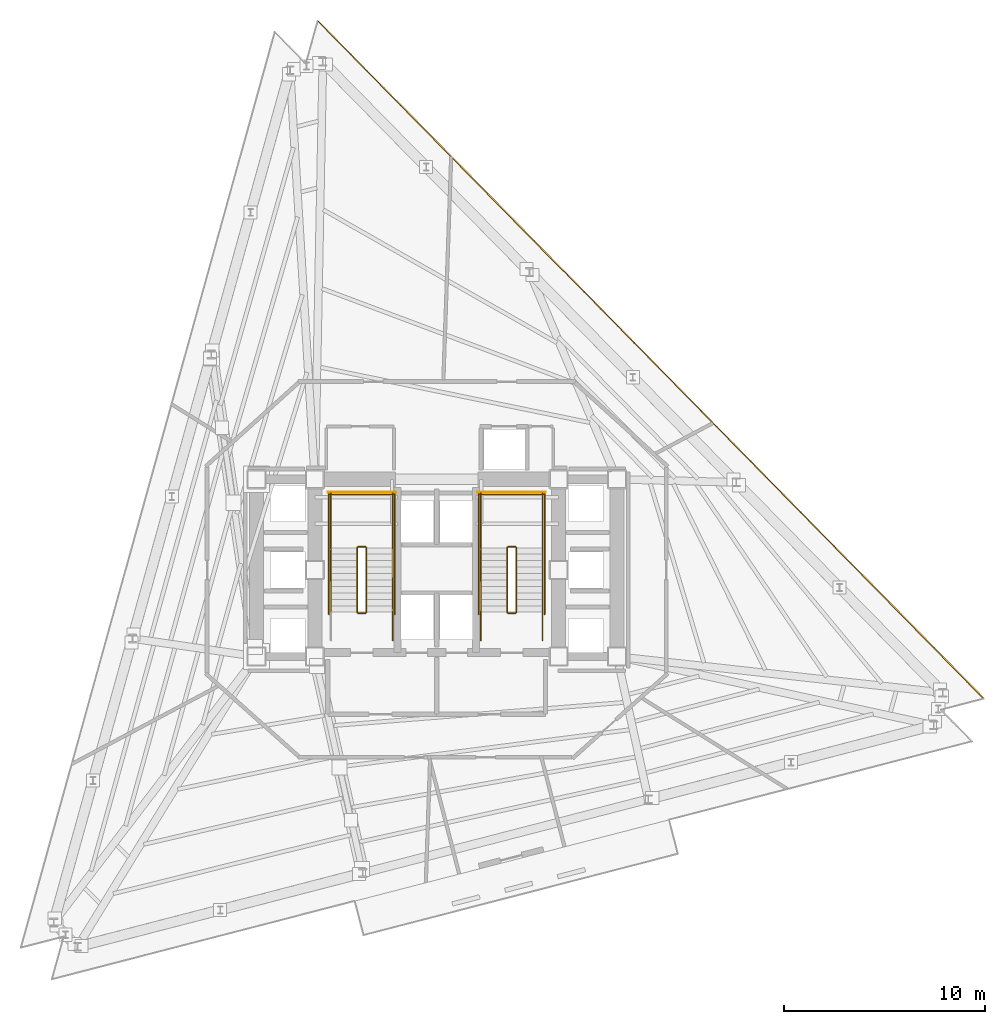
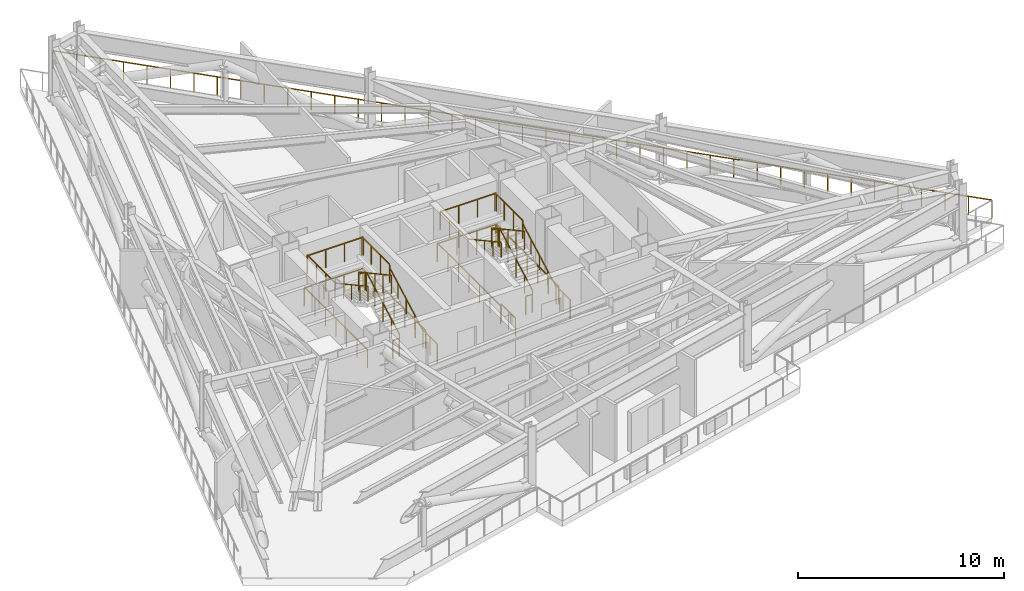
# One storey, part 10 of 11: 28 railings.
"""IFC4 building model written with IfcOpenShell, lengths in metres."""

from ifc_helpers import new_model, si_unit, direction, frame, origin, origin_2d, place, context, subcontext, project, spatial, rectangle, extrude, material, layer, layer_set, type_object, element, save


model = new_model("IFC4")

# Units and contexts
model_context = context("Model", 3, precision=1e-05, world=origin(), true_north=direction((0.0, 1.0)))
body_context = subcontext(model_context, "Body", "Model", "MODEL_VIEW")
ifc_project = project(units=[si_unit("LENGTHUNIT", "METRE"), si_unit("AREAUNIT", "SQUARE_METRE"), si_unit("VOLUMEUNIT", "CUBIC_METRE"), si_unit("PLANEANGLEUNIT", "RADIAN"), si_unit("MASSUNIT", "GRAM", prefix="KILO")], contexts=[model_context])

# Site, building, storey
site_placement = place(None, origin())
site = spatial("IfcSite", under=ifc_project, at=site_placement, CompositionType="ELEMENT")
building_placement = place(site_placement, origin())
building = spatial("IfcBuilding", under=site, at=building_placement, Name="Rocaltana Carrier Exchange", CompositionType="ELEMENT")
storey_placement = place(building_placement, frame((0.0, 0.0, 100.800048828125)))
storey = spatial("IfcBuildingStorey", under=building, at=storey_placement, Name="L31", CompositionType="ELEMENT", Elevation=100.800048828125)

# Railings
ifc_material_1 = material(Name="Brushed Architectural Stainless Tube", Category="steel")
ifc_layer_1 = layer(ifc_material_1, 0.048095703125)
ifc_layer_set_1 = layer_set([ifc_layer_1], Name="Brushed Architectural Stainless Tube")
railing_type_1 = type_object("IfcRailingType", Name="Stair Wall Handrail 920", PredefinedType="HANDRAIL", material=ifc_layer_set_1)
railing_1_placement = place(storey_placement, frame((-2.18994140625, -2.10009765625, 0.174560546875)))
element("IfcRailing", 1, at=railing_1_placement, inside=storey, type_object=railing_type_1, Name="L31 ST-1 stair handrail 1", PredefinedType="HANDRAIL", context=body_context, shape_type="SweptSolid", body=[
    extrude(rectangle(XDim=0.048095703125, YDim=0.048095703125, at=origin_2d()), frame((0.0, 0.0, 0.8759765625), z_axis=(0.0, 0.877918608156, 0.478809896987), x_axis=(-1.0, 0.0, 0.0)), (0.0, 0.0, 1.0), 3.645263671875),
    extrude(rectangle(XDim=0.0419921875, YDim=0.0419921875, at=origin_2d()), origin(), (0.0, 0.0, 1.0), 0.851806640625),
    extrude(rectangle(XDim=0.0419921875, YDim=0.0419921875, at=origin_2d()), frame((0.0, 0.800048828125, 0.436279296875)), (0.0, 0.0, 1.0), 0.851806640625),
    extrude(rectangle(XDim=0.0419921875, YDim=0.0419921875, at=origin_2d()), frame((0.0, 1.60009765625, 0.87255859375)), (0.0, 0.0, 1.0), 0.851806640625),
    extrude(rectangle(XDim=0.0419921875, YDim=0.0419921875, at=origin_2d()), frame((0.0, 2.400146484375, 1.30908203125)), (0.0, 0.0, 1.0), 0.851806640625),
    extrude(rectangle(XDim=0.0419921875, YDim=0.0419921875, at=origin_2d()), frame((0.0, 3.2001953125, 1.745361328125)), (0.0, 0.0, 1.0), 0.851806640625),
])
railing_2_placement = place(storey_placement, frame((-5.25, 1.10009765625, 2.094482421875)))
element("IfcRailing", 2, at=railing_2_placement, inside=storey, type_object=railing_type_1, Name="L31 ST-1 stair handrail 2", PredefinedType="HANDRAIL", context=body_context, shape_type="SweptSolid", body=[
    extrude(rectangle(XDim=0.048095703125, YDim=0.048095703125, at=origin_2d()), frame((0.0, 0.0, 0.8759765625), z_axis=(0.0, -0.877918608156, 0.478809896987), x_axis=(1.0, 0.0, 0.0)), (0.0, 0.0, 1.0), 3.645263671875),
    extrude(rectangle(XDim=0.0419921875, YDim=0.0419921875, at=origin_2d()), origin(), (0.0, 0.0, 1.0), 0.851806640625),
    extrude(rectangle(XDim=0.0419921875, YDim=0.0419921875, at=origin_2d()), frame((0.0, -0.800048828125, 0.436279296875)), (0.0, 0.0, 1.0), 0.851806640625),
    extrude(rectangle(XDim=0.0419921875, YDim=0.0419921875, at=origin_2d()), frame((0.0, -1.60009765625, 0.87255859375)), (0.0, 0.0, 1.0), 0.851806640625),
    extrude(rectangle(XDim=0.0419921875, YDim=0.0419921875, at=origin_2d()), frame((0.0, -2.400146484375, 1.30908203125)), (0.0, 0.0, 1.0), 0.851806640625),
    extrude(rectangle(XDim=0.0419921875, YDim=0.0419921875, at=origin_2d()), frame((0.0, -3.2001953125, 1.745361328125)), (0.0, 0.0, 1.0), 0.851806640625),
])
railing_3_placement = place(storey_placement, frame((5.25, -2.10009765625, 0.174560546875)))
element("IfcRailing", 3, at=railing_3_placement, inside=storey, type_object=railing_type_1, Name="L31 ST-2 stair handrail 1", PredefinedType="HANDRAIL", context=body_context, shape_type="SweptSolid", body=[
    extrude(rectangle(XDim=0.048095703125, YDim=0.048095703125, at=origin_2d()), frame((0.0, 0.0, 0.8759765625), z_axis=(0.0, 0.877918608156, 0.478809896987), x_axis=(-1.0, 0.0, 0.0)), (0.0, 0.0, 1.0), 3.645263671875),
    extrude(rectangle(XDim=0.0419921875, YDim=0.0419921875, at=origin_2d()), origin(), (0.0, 0.0, 1.0), 0.851806640625),
    extrude(rectangle(XDim=0.0419921875, YDim=0.0419921875, at=origin_2d()), frame((0.0, 0.800048828125, 0.436279296875)), (0.0, 0.0, 1.0), 0.851806640625),
    extrude(rectangle(XDim=0.0419921875, YDim=0.0419921875, at=origin_2d()), frame((0.0, 1.60009765625, 0.87255859375)), (0.0, 0.0, 1.0), 0.851806640625),
    extrude(rectangle(XDim=0.0419921875, YDim=0.0419921875, at=origin_2d()), frame((0.0, 2.400146484375, 1.30908203125)), (0.0, 0.0, 1.0), 0.851806640625),
    extrude(rectangle(XDim=0.0419921875, YDim=0.0419921875, at=origin_2d()), frame((0.0, 3.2001953125, 1.745361328125)), (0.0, 0.0, 1.0), 0.851806640625),
])
railing_4_placement = place(storey_placement, frame((2.18994140625, 1.10009765625, 2.094482421875)))
element("IfcRailing", 4, at=railing_4_placement, inside=storey, type_object=railing_type_1, Name="L31 ST-2 stair handrail 2", PredefinedType="HANDRAIL", context=body_context, shape_type="SweptSolid", body=[
    extrude(rectangle(XDim=0.048095703125, YDim=0.048095703125, at=origin_2d()), frame((0.0, 0.0, 0.8759765625), z_axis=(0.0, -0.877918608156, 0.478809896987), x_axis=(1.0, 0.0, 0.0)), (0.0, 0.0, 1.0), 3.645263671875),
    extrude(rectangle(XDim=0.0419921875, YDim=0.0419921875, at=origin_2d()), origin(), (0.0, 0.0, 1.0), 0.851806640625),
    extrude(rectangle(XDim=0.0419921875, YDim=0.0419921875, at=origin_2d()), frame((0.0, -0.800048828125, 0.436279296875)), (0.0, 0.0, 1.0), 0.851806640625),
    extrude(rectangle(XDim=0.0419921875, YDim=0.0419921875, at=origin_2d()), frame((0.0, -1.60009765625, 0.87255859375)), (0.0, 0.0, 1.0), 0.851806640625),
    extrude(rectangle(XDim=0.0419921875, YDim=0.0419921875, at=origin_2d()), frame((0.0, -2.400146484375, 1.30908203125)), (0.0, 0.0, 1.0), 0.851806640625),
    extrude(rectangle(XDim=0.0419921875, YDim=0.0419921875, at=origin_2d()), frame((0.0, -3.2001953125, 1.745361328125)), (0.0, 0.0, 1.0), 0.851806640625),
])
ifc_material_2 = material(Name="Powder-Coated Aluminium 6063-T6", Category="aluminium")
ifc_layer_2 = layer(ifc_material_2, 0.048095703125)
ifc_layer_set_2 = layer_set([ifc_layer_2], Name="Powder-Coated Aluminium 6063-T6")
railing_type_2 = type_object("IfcRailingType", Name="Stair Well Guardrail 1100", PredefinedType="GUARDRAIL", material=ifc_layer_set_2)
railing_5_placement = place(storey_placement, frame((-3.489990234375, -2.10009765625, 0.174560546875)))
element("IfcRailing", 5, at=railing_5_placement, inside=storey, type_object=railing_type_2, Name="L31 ST-1 stair guard 1", PredefinedType="GUARDRAIL", context=body_context, shape_type="SweptSolid", body=[
    extrude(rectangle(XDim=0.048095703125, YDim=0.048095703125, at=origin_2d()), frame((0.0, 0.0, 1.076171875), z_axis=(0.0, 0.877918608156, 0.478809896987), x_axis=(-1.0, 0.0, 0.0)), (0.0, 0.0, 1.0), 3.645263671875),
    extrude(rectangle(XDim=0.0419921875, YDim=0.0419921875, at=origin_2d()), origin(), (0.0, 0.0, 1.0), 1.052001953125),
    extrude(rectangle(XDim=0.0419921875, YDim=0.0419921875, at=origin_2d()), frame((0.0, 0.800048828125, 0.436279296875)), (0.0, 0.0, 1.0), 1.052001953125),
    extrude(rectangle(XDim=0.0419921875, YDim=0.0419921875, at=origin_2d()), frame((0.0, 1.60009765625, 0.87255859375)), (0.0, 0.0, 1.0), 1.052001953125),
    extrude(rectangle(XDim=0.0419921875, YDim=0.0419921875, at=origin_2d()), frame((0.0, 2.400146484375, 1.30908203125)), (0.0, 0.0, 1.0), 1.052001953125),
    extrude(rectangle(XDim=0.0419921875, YDim=0.0419921875, at=origin_2d()), frame((0.0, 3.2001953125, 1.745361328125)), (0.0, 0.0, 1.0), 1.052001953125),
])
railing_6_placement = place(storey_placement, frame((-3.5400390625, 1.14990234375, 1.919921875)))
element("IfcRailing", 6, at=railing_6_placement, inside=storey, type_object=railing_type_2, Name="L31 ST-1 stair guard 2", PredefinedType="GUARDRAIL", context=body_context, shape_type="SweptSolid", body=[
    extrude(rectangle(XDim=0.048095703125, YDim=0.048095703125, at=origin_2d()), frame((0.0, 0.0, 1.076171875), z_axis=(-1.0, 0.0, 0.0), x_axis=(0.0, -1.0, 0.0)), (0.0, 0.0, 1.0), 0.35986328125),
    extrude(rectangle(XDim=0.0419921875, YDim=0.0419921875, at=origin_2d()), origin(), (0.0, 0.0, 1.0), 1.052001953125),
    extrude(rectangle(XDim=0.0419921875, YDim=0.0419921875, at=origin_2d()), frame((-0.35986328125, 0.0, 0.0)), (0.0, 0.0, 1.0), 1.052001953125),
])
for number, where, name in (
    (7, (-2.18994140625, 1.10009765625, 1.919921875), "L31 ST-1 stair guard 3"),
    (8, (-5.25, 1.10009765625, 1.919921875), "L31 ST-1 stair guard 4"),
):
    element("IfcRailing", number, at=place(storey_placement, frame(where)), inside=storey, type_object=railing_type_2, Name=name, PredefinedType="GUARDRAIL", context=body_context, shape_type="SweptSolid", body=[
        extrude(rectangle(XDim=0.048095703125, YDim=0.048095703125, at=origin_2d()), frame((0.0, 0.0, 1.076171875), z_axis=(0.0, 1.0, 0.0), x_axis=(-1.0, 0.0, 0.0)), (0.0, 0.0, 1.0), 2.699951171875),
        extrude(rectangle(XDim=0.0419921875, YDim=0.0419921875, at=origin_2d()), origin(), (0.0, 0.0, 1.0), 1.052001953125),
        extrude(rectangle(XDim=0.0419921875, YDim=0.0419921875, at=origin_2d()), frame((0.0, 0.89990234375, 0.0)), (0.0, 0.0, 1.0), 1.052001953125),
        extrude(rectangle(XDim=0.0419921875, YDim=0.0419921875, at=origin_2d()), frame((0.0, 1.800048828125, 0.0)), (0.0, 0.0, 1.0), 1.052001953125),
        extrude(rectangle(XDim=0.0419921875, YDim=0.0419921875, at=origin_2d()), frame((0.0, 2.699951171875, 0.0)), (0.0, 0.0, 1.0), 1.052001953125),
    ])
railing_7_placement = place(storey_placement, frame((-2.139892578125, 3.75, 1.919921875)))
element("IfcRailing", 9, at=railing_7_placement, inside=storey, type_object=railing_type_2, Name="L31 ST-1 stair guard 5", PredefinedType="GUARDRAIL", context=body_context, shape_type="SweptSolid", body=[
    extrude(rectangle(XDim=0.048095703125, YDim=0.048095703125, at=origin_2d()), frame((0.0, 0.0, 1.076171875), z_axis=(-1.0, 0.0, 0.0), x_axis=(0.0, -1.0, 0.0)), (0.0, 0.0, 1.0), 3.16015625),
    extrude(rectangle(XDim=0.0419921875, YDim=0.0419921875, at=origin_2d()), origin(), (0.0, 0.0, 1.0), 1.052001953125),
    extrude(rectangle(XDim=0.0419921875, YDim=0.0419921875, at=origin_2d()), frame((-1.053466796875, 0.0, 0.0)), (0.0, 0.0, 1.0), 1.052001953125),
    extrude(rectangle(XDim=0.0419921875, YDim=0.0419921875, at=origin_2d()), frame((-2.106689453125, 0.0, 0.0)), (0.0, 0.0, 1.0), 1.052001953125),
    extrude(rectangle(XDim=0.0419921875, YDim=0.0419921875, at=origin_2d()), frame((-3.16015625, 0.0, 0.0)), (0.0, 0.0, 1.0), 1.052001953125),
])
railing_8_placement = place(storey_placement, frame((-3.949951171875, 1.10009765625, 2.094482421875)))
element("IfcRailing", 10, at=railing_8_placement, inside=storey, type_object=railing_type_2, Name="L31 ST-1 stair guard 6", PredefinedType="GUARDRAIL", context=body_context, shape_type="SweptSolid", body=[
    extrude(rectangle(XDim=0.048095703125, YDim=0.048095703125, at=origin_2d()), frame((0.0, 0.0, 1.076171875), z_axis=(0.0, -0.877918608156, 0.478809896987), x_axis=(1.0, 0.0, 0.0)), (0.0, 0.0, 1.0), 3.645263671875),
    extrude(rectangle(XDim=0.0419921875, YDim=0.0419921875, at=origin_2d()), origin(), (0.0, 0.0, 1.0), 1.052001953125),
    extrude(rectangle(XDim=0.0419921875, YDim=0.0419921875, at=origin_2d()), frame((0.0, -0.800048828125, 0.436279296875)), (0.0, 0.0, 1.0), 1.052001953125),
    extrude(rectangle(XDim=0.0419921875, YDim=0.0419921875, at=origin_2d()), frame((0.0, -1.60009765625, 0.87255859375)), (0.0, 0.0, 1.0), 1.052001953125),
    extrude(rectangle(XDim=0.0419921875, YDim=0.0419921875, at=origin_2d()), frame((0.0, -2.400146484375, 1.30908203125)), (0.0, 0.0, 1.0), 1.052001953125),
    extrude(rectangle(XDim=0.0419921875, YDim=0.0419921875, at=origin_2d()), frame((0.0, -3.2001953125, 1.745361328125)), (0.0, 0.0, 1.0), 1.052001953125),
])
railing_9_placement = place(storey_placement, frame((-3.5400390625, -2.14990234375, 0.0)))
element("IfcRailing", 11, at=railing_9_placement, inside=storey, type_object=railing_type_2, Name="L31 ST-1 stair guard 7", PredefinedType="GUARDRAIL", context=body_context, shape_type="SweptSolid", body=[
    extrude(rectangle(XDim=0.048095703125, YDim=0.048095703125, at=origin_2d()), frame((0.0, 0.0, 1.076171875), z_axis=(-1.0, 0.0, 0.0), x_axis=(0.0, -1.0, 0.0)), (0.0, 0.0, 1.0), 0.35986328125),
    extrude(rectangle(XDim=0.0419921875, YDim=0.0419921875, at=origin_2d()), origin(), (0.0, 0.0, 1.0), 1.052001953125),
    extrude(rectangle(XDim=0.0419921875, YDim=0.0419921875, at=origin_2d()), frame((-0.35986328125, 0.0, 0.0)), (0.0, 0.0, 1.0), 1.052001953125),
])
railing_10_placement = place(storey_placement, frame((-2.18994140625, -3.5, 0.0)))
element("IfcRailing", 12, at=railing_10_placement, inside=storey, type_object=railing_type_2, Name="L31 ST-1 stair guard 8", PredefinedType="GUARDRAIL", context=body_context, shape_type="SweptSolid", body=[
    extrude(rectangle(XDim=0.048095703125, YDim=0.048095703125, at=origin_2d()), frame((0.0, 0.0, 1.076171875), z_axis=(0.0, 1.0, 0.0), x_axis=(-1.0, 0.0, 0.0)), (0.0, 0.0, 1.0), 1.39990234375),
    extrude(rectangle(XDim=0.0419921875, YDim=0.0419921875, at=origin_2d()), origin(), (0.0, 0.0, 1.0), 1.052001953125),
    extrude(rectangle(XDim=0.0419921875, YDim=0.0419921875, at=origin_2d()), frame((0.0, 0.699951171875, 0.0)), (0.0, 0.0, 1.0), 1.052001953125),
    extrude(rectangle(XDim=0.0419921875, YDim=0.0419921875, at=origin_2d()), frame((0.0, 1.39990234375, 0.0)), (0.0, 0.0, 1.0), 1.052001953125),
])
for number, where, name in (
    (13, (-2.090087890625, -2.199951171875, 0.0), "L31 ST-1 stair guard 10"),
    (14, (-5.35009765625, -2.199951171875, 0.0), "L31 ST-1 stair guard 11"),
):
    element("IfcRailing", number, at=place(storey_placement, frame(where)), inside=storey, type_object=railing_type_2, Name=name, PredefinedType="GUARDRAIL", context=body_context, shape_type="SweptSolid", body=[
        extrude(rectangle(XDim=0.048095703125, YDim=0.048095703125, at=origin_2d()), frame((0.0, 0.0, 1.076171875), z_axis=(0.0, 1.0, 0.0), x_axis=(-1.0, 0.0, 0.0)), (0.0, 0.0, 1.0), 6.099853515625),
        extrude(rectangle(XDim=0.0419921875, YDim=0.0419921875, at=origin_2d()), origin(), (0.0, 0.0, 1.0), 1.052001953125),
        extrude(rectangle(XDim=0.0419921875, YDim=0.0419921875, at=origin_2d()), frame((0.0, 1.0166015625, 0.0)), (0.0, 0.0, 1.0), 1.052001953125),
        extrude(rectangle(XDim=0.0419921875, YDim=0.0419921875, at=origin_2d()), frame((0.0, 2.033203125, 0.0)), (0.0, 0.0, 1.0), 1.052001953125),
        extrude(rectangle(XDim=0.0419921875, YDim=0.0419921875, at=origin_2d()), frame((0.0, 3.0498046875, 0.0)), (0.0, 0.0, 1.0), 1.052001953125),
        extrude(rectangle(XDim=0.0419921875, YDim=0.0419921875, at=origin_2d()), frame((0.0, 4.066650390625, 0.0)), (0.0, 0.0, 1.0), 1.052001953125),
        extrude(rectangle(XDim=0.0419921875, YDim=0.0419921875, at=origin_2d()), frame((0.0, 5.083251953125, 0.0)), (0.0, 0.0, 1.0), 1.052001953125),
        extrude(rectangle(XDim=0.0419921875, YDim=0.0419921875, at=origin_2d()), frame((0.0, 6.099853515625, 0.0)), (0.0, 0.0, 1.0), 1.052001953125),
    ])
railing_11_placement = place(storey_placement, frame((-2.0400390625, 3.85009765625, 0.0)))
element("IfcRailing", 15, at=railing_11_placement, inside=storey, type_object=railing_type_2, Name="L31 ST-1 stair guard 12", PredefinedType="GUARDRAIL", context=body_context, shape_type="SweptSolid", body=[
    extrude(rectangle(XDim=0.048095703125, YDim=0.048095703125, at=origin_2d()), frame((0.0, 0.0, 1.076171875), z_axis=(-1.0, 0.0, 0.0), x_axis=(0.0, -1.0, 0.0)), (0.0, 0.0, 1.0), 3.35986328125),
    extrude(rectangle(XDim=0.0419921875, YDim=0.0419921875, at=origin_2d()), origin(), (0.0, 0.0, 1.0), 1.052001953125),
    extrude(rectangle(XDim=0.0419921875, YDim=0.0419921875, at=origin_2d()), frame((-1.119873046875, 0.0, 0.0)), (0.0, 0.0, 1.0), 1.052001953125),
    extrude(rectangle(XDim=0.0419921875, YDim=0.0419921875, at=origin_2d()), frame((-2.239990234375, 0.0, 0.0)), (0.0, 0.0, 1.0), 1.052001953125),
    extrude(rectangle(XDim=0.0419921875, YDim=0.0419921875, at=origin_2d()), frame((-3.35986328125, 0.0, 0.0)), (0.0, 0.0, 1.0), 1.052001953125),
])
railing_12_placement = place(storey_placement, frame((3.949951171875, -2.10009765625, 0.174560546875)))
element("IfcRailing", 16, at=railing_12_placement, inside=storey, type_object=railing_type_2, Name="L31 ST-2 stair guard 1", PredefinedType="GUARDRAIL", context=body_context, shape_type="SweptSolid", body=[
    extrude(rectangle(XDim=0.048095703125, YDim=0.048095703125, at=origin_2d()), frame((0.0, 0.0, 1.076171875), z_axis=(0.0, 0.877918608156, 0.478809896987), x_axis=(-1.0, 0.0, 0.0)), (0.0, 0.0, 1.0), 3.645263671875),
    extrude(rectangle(XDim=0.0419921875, YDim=0.0419921875, at=origin_2d()), origin(), (0.0, 0.0, 1.0), 1.052001953125),
    extrude(rectangle(XDim=0.0419921875, YDim=0.0419921875, at=origin_2d()), frame((0.0, 0.800048828125, 0.436279296875)), (0.0, 0.0, 1.0), 1.052001953125),
    extrude(rectangle(XDim=0.0419921875, YDim=0.0419921875, at=origin_2d()), frame((0.0, 1.60009765625, 0.87255859375)), (0.0, 0.0, 1.0), 1.052001953125),
    extrude(rectangle(XDim=0.0419921875, YDim=0.0419921875, at=origin_2d()), frame((0.0, 2.400146484375, 1.30908203125)), (0.0, 0.0, 1.0), 1.052001953125),
    extrude(rectangle(XDim=0.0419921875, YDim=0.0419921875, at=origin_2d()), frame((0.0, 3.2001953125, 1.745361328125)), (0.0, 0.0, 1.0), 1.052001953125),
])
railing_13_placement = place(storey_placement, frame((3.89990234375, 1.14990234375, 1.919921875)))
element("IfcRailing", 17, at=railing_13_placement, inside=storey, type_object=railing_type_2, Name="L31 ST-2 stair guard 2", PredefinedType="GUARDRAIL", context=body_context, shape_type="SweptSolid", body=[
    extrude(rectangle(XDim=0.048095703125, YDim=0.048095703125, at=origin_2d()), frame((0.0, 0.0, 1.076171875), z_axis=(-1.0, 0.0, 0.0), x_axis=(0.0, -1.0, 0.0)), (0.0, 0.0, 1.0), 0.35986328125),
    extrude(rectangle(XDim=0.0419921875, YDim=0.0419921875, at=origin_2d()), origin(), (0.0, 0.0, 1.0), 1.052001953125),
    extrude(rectangle(XDim=0.0419921875, YDim=0.0419921875, at=origin_2d()), frame((-0.35986328125, 0.0, 0.0)), (0.0, 0.0, 1.0), 1.052001953125),
])
for number, where, name in (
    (18, (5.25, 1.10009765625, 1.919921875), "L31 ST-2 stair guard 3"),
    (19, (2.18994140625, 1.10009765625, 1.919921875), "L31 ST-2 stair guard 4"),
):
    element("IfcRailing", number, at=place(storey_placement, frame(where)), inside=storey, type_object=railing_type_2, Name=name, PredefinedType="GUARDRAIL", context=body_context, shape_type="SweptSolid", body=[
        extrude(rectangle(XDim=0.048095703125, YDim=0.048095703125, at=origin_2d()), frame((0.0, 0.0, 1.076171875), z_axis=(0.0, 1.0, 0.0), x_axis=(-1.0, 0.0, 0.0)), (0.0, 0.0, 1.0), 2.699951171875),
        extrude(rectangle(XDim=0.0419921875, YDim=0.0419921875, at=origin_2d()), origin(), (0.0, 0.0, 1.0), 1.052001953125),
        extrude(rectangle(XDim=0.0419921875, YDim=0.0419921875, at=origin_2d()), frame((0.0, 0.89990234375, 0.0)), (0.0, 0.0, 1.0), 1.052001953125),
        extrude(rectangle(XDim=0.0419921875, YDim=0.0419921875, at=origin_2d()), frame((0.0, 1.800048828125, 0.0)), (0.0, 0.0, 1.0), 1.052001953125),
        extrude(rectangle(XDim=0.0419921875, YDim=0.0419921875, at=origin_2d()), frame((0.0, 2.699951171875, 0.0)), (0.0, 0.0, 1.0), 1.052001953125),
    ])
railing_14_placement = place(storey_placement, frame((5.300048828125, 3.75, 1.919921875)))
element("IfcRailing", 20, at=railing_14_placement, inside=storey, type_object=railing_type_2, Name="L31 ST-2 stair guard 5", PredefinedType="GUARDRAIL", context=body_context, shape_type="SweptSolid", body=[
    extrude(rectangle(XDim=0.048095703125, YDim=0.048095703125, at=origin_2d()), frame((0.0, 0.0, 1.076171875), z_axis=(-1.0, 0.0, 0.0), x_axis=(0.0, -1.0, 0.0)), (0.0, 0.0, 1.0), 3.16015625),
    extrude(rectangle(XDim=0.0419921875, YDim=0.0419921875, at=origin_2d()), origin(), (0.0, 0.0, 1.0), 1.052001953125),
    extrude(rectangle(XDim=0.0419921875, YDim=0.0419921875, at=origin_2d()), frame((-1.053466796875, 0.0, 0.0)), (0.0, 0.0, 1.0), 1.052001953125),
    extrude(rectangle(XDim=0.0419921875, YDim=0.0419921875, at=origin_2d()), frame((-2.106689453125, 0.0, 0.0)), (0.0, 0.0, 1.0), 1.052001953125),
    extrude(rectangle(XDim=0.0419921875, YDim=0.0419921875, at=origin_2d()), frame((-3.16015625, 0.0, 0.0)), (0.0, 0.0, 1.0), 1.052001953125),
])
railing_15_placement = place(storey_placement, frame((3.489990234375, 1.10009765625, 2.094482421875)))
element("IfcRailing", 21, at=railing_15_placement, inside=storey, type_object=railing_type_2, Name="L31 ST-2 stair guard 6", PredefinedType="GUARDRAIL", context=body_context, shape_type="SweptSolid", body=[
    extrude(rectangle(XDim=0.048095703125, YDim=0.048095703125, at=origin_2d()), frame((0.0, 0.0, 1.076171875), z_axis=(0.0, -0.877918608156, 0.478809896987), x_axis=(1.0, 0.0, 0.0)), (0.0, 0.0, 1.0), 3.645263671875),
    extrude(rectangle(XDim=0.0419921875, YDim=0.0419921875, at=origin_2d()), origin(), (0.0, 0.0, 1.0), 1.052001953125),
    extrude(rectangle(XDim=0.0419921875, YDim=0.0419921875, at=origin_2d()), frame((0.0, -0.800048828125, 0.436279296875)), (0.0, 0.0, 1.0), 1.052001953125),
    extrude(rectangle(XDim=0.0419921875, YDim=0.0419921875, at=origin_2d()), frame((0.0, -1.60009765625, 0.87255859375)), (0.0, 0.0, 1.0), 1.052001953125),
    extrude(rectangle(XDim=0.0419921875, YDim=0.0419921875, at=origin_2d()), frame((0.0, -2.400146484375, 1.30908203125)), (0.0, 0.0, 1.0), 1.052001953125),
    extrude(rectangle(XDim=0.0419921875, YDim=0.0419921875, at=origin_2d()), frame((0.0, -3.2001953125, 1.745361328125)), (0.0, 0.0, 1.0), 1.052001953125),
])
railing_16_placement = place(storey_placement, frame((3.89990234375, -2.14990234375, 0.0)))
element("IfcRailing", 22, at=railing_16_placement, inside=storey, type_object=railing_type_2, Name="L31 ST-2 stair guard 7", PredefinedType="GUARDRAIL", context=body_context, shape_type="SweptSolid", body=[
    extrude(rectangle(XDim=0.048095703125, YDim=0.048095703125, at=origin_2d()), frame((0.0, 0.0, 1.076171875), z_axis=(-1.0, 0.0, 0.0), x_axis=(0.0, -1.0, 0.0)), (0.0, 0.0, 1.0), 0.35986328125),
    extrude(rectangle(XDim=0.0419921875, YDim=0.0419921875, at=origin_2d()), origin(), (0.0, 0.0, 1.0), 1.052001953125),
    extrude(rectangle(XDim=0.0419921875, YDim=0.0419921875, at=origin_2d()), frame((-0.35986328125, 0.0, 0.0)), (0.0, 0.0, 1.0), 1.052001953125),
])
for number, where, name in (
    (23, (5.25, -3.5, 0.0), "L31 ST-2 stair guard 8"),
    (24, (2.18994140625, -3.5, 0.0), "L31 ST-2 stair guard 9"),
):
    element("IfcRailing", number, at=place(storey_placement, frame(where)), inside=storey, type_object=railing_type_2, Name=name, PredefinedType="GUARDRAIL", context=body_context, shape_type="SweptSolid", body=[
        extrude(rectangle(XDim=0.048095703125, YDim=0.048095703125, at=origin_2d()), frame((0.0, 0.0, 1.076171875), z_axis=(0.0, 1.0, 0.0), x_axis=(-1.0, 0.0, 0.0)), (0.0, 0.0, 1.0), 1.39990234375),
        extrude(rectangle(XDim=0.0419921875, YDim=0.0419921875, at=origin_2d()), origin(), (0.0, 0.0, 1.0), 1.052001953125),
        extrude(rectangle(XDim=0.0419921875, YDim=0.0419921875, at=origin_2d()), frame((0.0, 0.699951171875, 0.0)), (0.0, 0.0, 1.0), 1.052001953125),
        extrude(rectangle(XDim=0.0419921875, YDim=0.0419921875, at=origin_2d()), frame((0.0, 1.39990234375, 0.0)), (0.0, 0.0, 1.0), 1.052001953125),
    ])
for number, where, name in (
    (25, (5.35009765625, -2.199951171875, 0.0), "L31 ST-2 stair guard 10"),
    (26, (2.090087890625, -2.199951171875, 0.0), "L31 ST-2 stair guard 11"),
):
    element("IfcRailing", number, at=place(storey_placement, frame(where)), inside=storey, type_object=railing_type_2, Name=name, PredefinedType="GUARDRAIL", context=body_context, shape_type="SweptSolid", body=[
        extrude(rectangle(XDim=0.048095703125, YDim=0.048095703125, at=origin_2d()), frame((0.0, 0.0, 1.076171875), z_axis=(0.0, 1.0, 0.0), x_axis=(-1.0, 0.0, 0.0)), (0.0, 0.0, 1.0), 6.099853515625),
        extrude(rectangle(XDim=0.0419921875, YDim=0.0419921875, at=origin_2d()), origin(), (0.0, 0.0, 1.0), 1.052001953125),
        extrude(rectangle(XDim=0.0419921875, YDim=0.0419921875, at=origin_2d()), frame((0.0, 1.0166015625, 0.0)), (0.0, 0.0, 1.0), 1.052001953125),
        extrude(rectangle(XDim=0.0419921875, YDim=0.0419921875, at=origin_2d()), frame((0.0, 2.033203125, 0.0)), (0.0, 0.0, 1.0), 1.052001953125),
        extrude(rectangle(XDim=0.0419921875, YDim=0.0419921875, at=origin_2d()), frame((0.0, 3.0498046875, 0.0)), (0.0, 0.0, 1.0), 1.052001953125),
        extrude(rectangle(XDim=0.0419921875, YDim=0.0419921875, at=origin_2d()), frame((0.0, 4.066650390625, 0.0)), (0.0, 0.0, 1.0), 1.052001953125),
        extrude(rectangle(XDim=0.0419921875, YDim=0.0419921875, at=origin_2d()), frame((0.0, 5.083251953125, 0.0)), (0.0, 0.0, 1.0), 1.052001953125),
        extrude(rectangle(XDim=0.0419921875, YDim=0.0419921875, at=origin_2d()), frame((0.0, 6.099853515625, 0.0)), (0.0, 0.0, 1.0), 1.052001953125),
    ])
railing_17_placement = place(storey_placement, frame((5.39990234375, 3.85009765625, 0.0)))
element("IfcRailing", 27, at=railing_17_placement, inside=storey, type_object=railing_type_2, Name="L31 ST-2 stair guard 12", PredefinedType="GUARDRAIL", context=body_context, shape_type="SweptSolid", body=[
    extrude(rectangle(XDim=0.048095703125, YDim=0.048095703125, at=origin_2d()), frame((0.0, 0.0, 1.076171875), z_axis=(-1.0, 0.0, 0.0), x_axis=(0.0, -1.0, 0.0)), (0.0, 0.0, 1.0), 3.35986328125),
    extrude(rectangle(XDim=0.0419921875, YDim=0.0419921875, at=origin_2d()), origin(), (0.0, 0.0, 1.0), 1.052001953125),
    extrude(rectangle(XDim=0.0419921875, YDim=0.0419921875, at=origin_2d()), frame((-1.119873046875, 0.0, 0.0)), (0.0, 0.0, 1.0), 1.052001953125),
    extrude(rectangle(XDim=0.0419921875, YDim=0.0419921875, at=origin_2d()), frame((-2.239990234375, 0.0, 0.0)), (0.0, 0.0, 1.0), 1.052001953125),
    extrude(rectangle(XDim=0.0419921875, YDim=0.0419921875, at=origin_2d()), frame((-3.35986328125, 0.0, 0.0)), (0.0, 0.0, 1.0), 1.052001953125),
])
ifc_material_3 = material(Name="Powder-Coated Aluminium 6063-T6", Category="aluminium")
ifc_layer_3 = layer(ifc_material_3, 0.06005859375)
ifc_layer_set_3 = layer_set([ifc_layer_3], Name="Powder-Coated Aluminium 6063-T6")
railing_type_3 = type_object("IfcRailingType", Name="Wind-Floor & Terrace Perimeter Guardrail 1100", PredefinedType="GUARDRAIL", material=ifc_layer_set_3)
railing_18_placement = place(storey_placement, frame((27.165771484375, -6.39208984375, 0.0)))
element("IfcRailing", 28, at=railing_18_placement, inside=storey, type_object=railing_type_3, Name="L31 Wind Perimeter Guardrail 3", PredefinedType="GUARDRAIL", context=body_context, shape_type="SweptSolid", body=[
    extrude(rectangle(XDim=0.048095703125, YDim=0.048095703125, at=origin_2d()), frame((0.0, 0.0, 1.076171875), z_axis=(-0.70090907036, 0.713250639739, 0.0), x_axis=(-0.713250639739, -0.70090907036, 0.0)), (0.0, 0.0, 1.0), 47.19970703125),
    extrude(rectangle(XDim=0.0419921875, YDim=0.0419921875, at=origin_2d()), origin(), (0.0, 0.0, 1.0), 1.052001953125),
    extrude(rectangle(XDim=0.0419921875, YDim=0.0419921875, at=origin_2d()), frame((-0.8271484375, 0.841552734375, 0.0)), (0.0, 0.0, 1.0), 1.052001953125),
    extrude(rectangle(XDim=0.0419921875, YDim=0.0419921875, at=origin_2d()), frame((-1.654052734375, 1.683349609375, 0.0)), (0.0, 0.0, 1.0), 1.052001953125),
    extrude(rectangle(XDim=0.0419921875, YDim=0.0419921875, at=origin_2d()), frame((-2.481201171875, 2.52490234375, 0.0)), (0.0, 0.0, 1.0), 1.052001953125),
    extrude(rectangle(XDim=0.0419921875, YDim=0.0419921875, at=origin_2d()), frame((-3.308349609375, 3.366455078125, 0.0)), (0.0, 0.0, 1.0), 1.052001953125),
    extrude(rectangle(XDim=0.0419921875, YDim=0.0419921875, at=origin_2d()), frame((-4.13525390625, 4.208251953125, 0.0)), (0.0, 0.0, 1.0), 1.052001953125),
    extrude(rectangle(XDim=0.0419921875, YDim=0.0419921875, at=origin_2d()), frame((-4.96240234375, 5.0498046875, 0.0)), (0.0, 0.0, 1.0), 1.052001953125),
    extrude(rectangle(XDim=0.0419921875, YDim=0.0419921875, at=origin_2d()), frame((-5.78955078125, 5.891357421875, 0.0)), (0.0, 0.0, 1.0), 1.052001953125),
    extrude(rectangle(XDim=0.0419921875, YDim=0.0419921875, at=origin_2d()), frame((-6.616455078125, 6.733154296875, 0.0)), (0.0, 0.0, 1.0), 1.052001953125),
    extrude(rectangle(XDim=0.0419921875, YDim=0.0419921875, at=origin_2d()), frame((-7.443603515625, 7.57470703125, 0.0)), (0.0, 0.0, 1.0), 1.052001953125),
    extrude(rectangle(XDim=0.0419921875, YDim=0.0419921875, at=origin_2d()), frame((-8.270751953125, 8.416259765625, 0.0)), (0.0, 0.0, 1.0), 1.052001953125),
    extrude(rectangle(XDim=0.0419921875, YDim=0.0419921875, at=origin_2d()), frame((-9.09765625, 9.258056640625, 0.0)), (0.0, 0.0, 1.0), 1.052001953125),
    extrude(rectangle(XDim=0.0419921875, YDim=0.0419921875, at=origin_2d()), frame((-9.9248046875, 10.099609375, 0.0)), (0.0, 0.0, 1.0), 1.052001953125),
    extrude(rectangle(XDim=0.0419921875, YDim=0.0419921875, at=origin_2d()), frame((-10.751953125, 10.941162109375, 0.0)), (0.0, 0.0, 1.0), 1.052001953125),
    extrude(rectangle(XDim=0.0419921875, YDim=0.0419921875, at=origin_2d()), frame((-11.578857421875, 11.782958984375, 0.0)), (0.0, 0.0, 1.0), 1.052001953125),
    extrude(rectangle(XDim=0.0419921875, YDim=0.0419921875, at=origin_2d()), frame((-12.406005859375, 12.62451171875, 0.0)), (0.0, 0.0, 1.0), 1.052001953125),
    extrude(rectangle(XDim=0.0419921875, YDim=0.0419921875, at=origin_2d()), frame((-13.233154296875, 13.466064453125, 0.0)), (0.0, 0.0, 1.0), 1.052001953125),
    extrude(rectangle(XDim=0.0419921875, YDim=0.0419921875, at=origin_2d()), frame((-14.06005859375, 14.307861328125, 0.0)), (0.0, 0.0, 1.0), 1.052001953125),
    extrude(rectangle(XDim=0.0419921875, YDim=0.0419921875, at=origin_2d()), frame((-14.88720703125, 15.1494140625, 0.0)), (0.0, 0.0, 1.0), 1.052001953125),
    extrude(rectangle(XDim=0.0419921875, YDim=0.0419921875, at=origin_2d()), frame((-15.71435546875, 15.990966796875, 0.0)), (0.0, 0.0, 1.0), 1.052001953125),
    extrude(rectangle(XDim=0.0419921875, YDim=0.0419921875, at=origin_2d()), frame((-16.54150390625, 16.83251953125, 0.0)), (0.0, 0.0, 1.0), 1.052001953125),
    extrude(rectangle(XDim=0.0419921875, YDim=0.0419921875, at=origin_2d()), frame((-17.368408203125, 17.67431640625, 0.0)), (0.0, 0.0, 1.0), 1.052001953125),
    extrude(rectangle(XDim=0.0419921875, YDim=0.0419921875, at=origin_2d()), frame((-18.195556640625, 18.515869140625, 0.0)), (0.0, 0.0, 1.0), 1.052001953125),
    extrude(rectangle(XDim=0.0419921875, YDim=0.0419921875, at=origin_2d()), frame((-19.022705078125, 19.357421875, 0.0)), (0.0, 0.0, 1.0), 1.052001953125),
    extrude(rectangle(XDim=0.0419921875, YDim=0.0419921875, at=origin_2d()), frame((-19.849609375, 20.19921875, 0.0)), (0.0, 0.0, 1.0), 1.052001953125),
    extrude(rectangle(XDim=0.0419921875, YDim=0.0419921875, at=origin_2d()), frame((-20.6767578125, 21.040771484375, 0.0)), (0.0, 0.0, 1.0), 1.052001953125),
    extrude(rectangle(XDim=0.0419921875, YDim=0.0419921875, at=origin_2d()), frame((-21.50390625, 21.88232421875, 0.0)), (0.0, 0.0, 1.0), 1.052001953125),
    extrude(rectangle(XDim=0.0419921875, YDim=0.0419921875, at=origin_2d()), frame((-22.330810546875, 22.72412109375, 0.0)), (0.0, 0.0, 1.0), 1.052001953125),
    extrude(rectangle(XDim=0.0419921875, YDim=0.0419921875, at=origin_2d()), frame((-23.157958984375, 23.565673828125, 0.0)), (0.0, 0.0, 1.0), 1.052001953125),
    extrude(rectangle(XDim=0.0419921875, YDim=0.0419921875, at=origin_2d()), frame((-23.985107421875, 24.4072265625, 0.0)), (0.0, 0.0, 1.0), 1.052001953125),
    extrude(rectangle(XDim=0.0419921875, YDim=0.0419921875, at=origin_2d()), frame((-24.81201171875, 25.2490234375, 0.0)), (0.0, 0.0, 1.0), 1.052001953125),
    extrude(rectangle(XDim=0.0419921875, YDim=0.0419921875, at=origin_2d()), frame((-25.63916015625, 26.090576171875, 0.0)), (0.0, 0.0, 1.0), 1.052001953125),
    extrude(rectangle(XDim=0.0419921875, YDim=0.0419921875, at=origin_2d()), frame((-26.46630859375, 26.93212890625, 0.0)), (0.0, 0.0, 1.0), 1.052001953125),
    extrude(rectangle(XDim=0.0419921875, YDim=0.0419921875, at=origin_2d()), frame((-27.293212890625, 27.77392578125, 0.0)), (0.0, 0.0, 1.0), 1.052001953125),
    extrude(rectangle(XDim=0.0419921875, YDim=0.0419921875, at=origin_2d()), frame((-28.120361328125, 28.615478515625, 0.0)), (0.0, 0.0, 1.0), 1.052001953125),
    extrude(rectangle(XDim=0.0419921875, YDim=0.0419921875, at=origin_2d()), frame((-28.947509765625, 29.45703125, 0.0)), (0.0, 0.0, 1.0), 1.052001953125),
    extrude(rectangle(XDim=0.0419921875, YDim=0.0419921875, at=origin_2d()), frame((-29.7744140625, 30.298828125, 0.0)), (0.0, 0.0, 1.0), 1.052001953125),
    extrude(rectangle(XDim=0.0419921875, YDim=0.0419921875, at=origin_2d()), frame((-30.6015625, 31.140380859375, 0.0)), (0.0, 0.0, 1.0), 1.052001953125),
    extrude(rectangle(XDim=0.0419921875, YDim=0.0419921875, at=origin_2d()), frame((-31.4287109375, 31.98193359375, 0.0)), (0.0, 0.0, 1.0), 1.052001953125),
    extrude(rectangle(XDim=0.0419921875, YDim=0.0419921875, at=origin_2d()), frame((-32.255615234375, 32.82373046875, 0.0)), (0.0, 0.0, 1.0), 1.052001953125),
    extrude(rectangle(XDim=0.0419921875, YDim=0.0419921875, at=origin_2d()), frame((-33.082763671875, 33.665283203125, 0.0)), (0.0, 0.0, 1.0), 1.052001953125),
])

save(model, "model.ifc")
